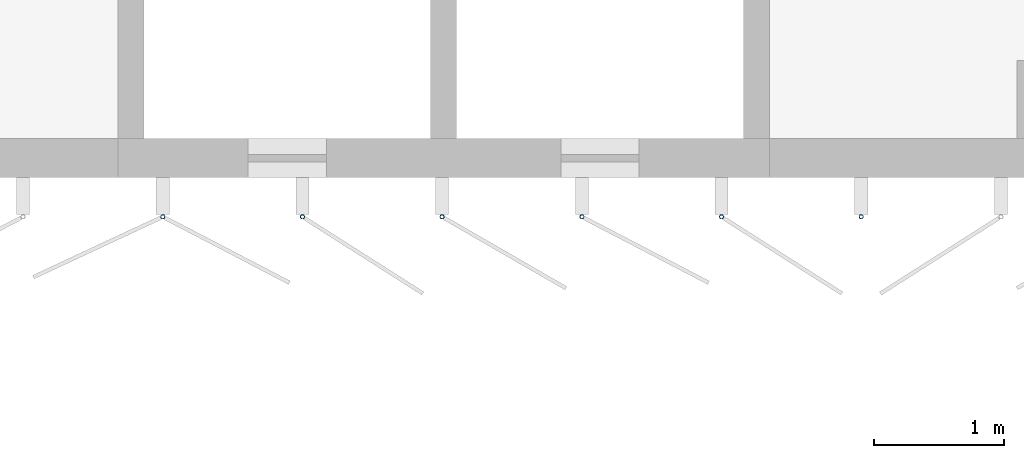
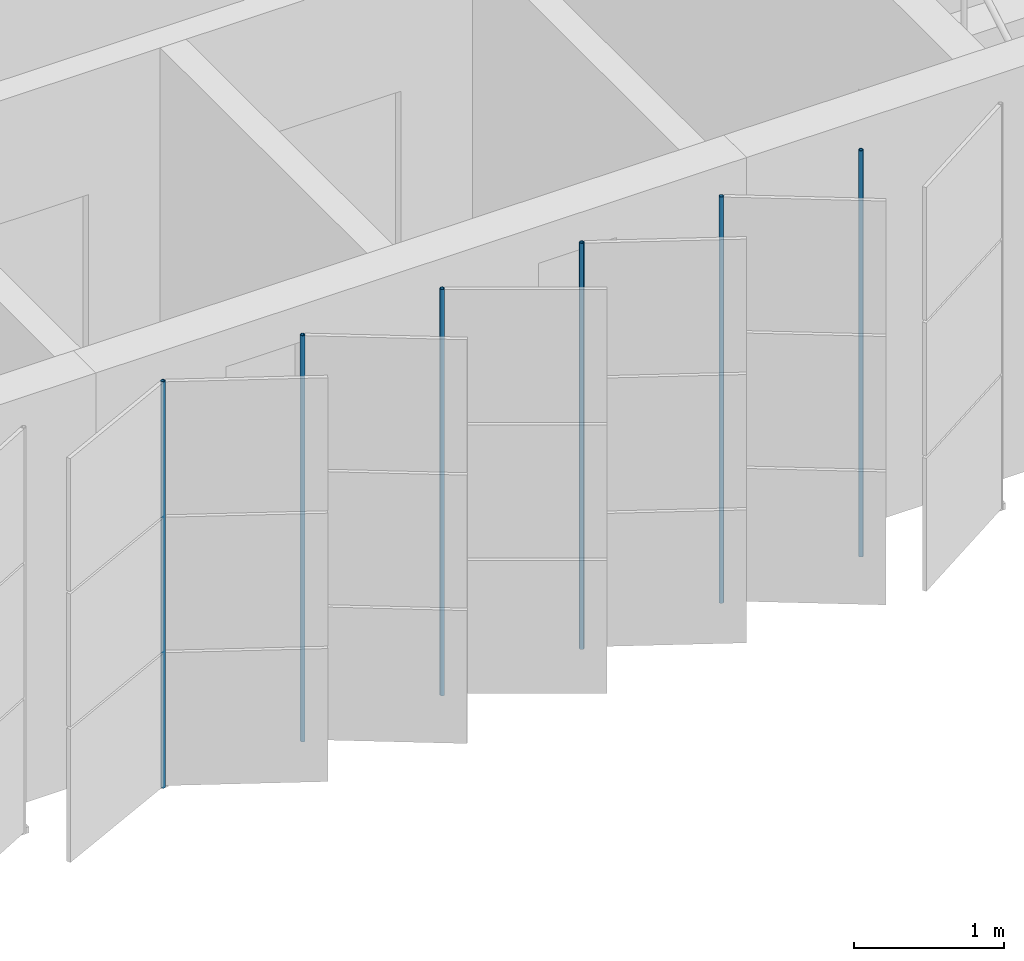
# One storey, part 93 of 214: 6 discrete accessories.
"""IFC4 building model written with IfcOpenShell, lengths in metres."""

import ifcopenshell
import ifcopenshell.guid

model = None  # the IFC model being written
_history = None  # IfcOwnerHistory: only IFC2X3 demands one
_inside = {}  # id of a spatial element -> (the spatial element, [elements in it])
_under = {}  # id of a project, library or spatial element -> (it, [spatial elements below it])
_declared = {}  # id of a project -> (the project, [libraries it declares])
_typed = {}  # id of a type object -> (the type object, [elements of that type])
_made_of = {}  # id of a material, layer set ... -> (it, [elements and type objects made of it])


def new_model(schema):
    """Start an empty IFC model of exactly this schema.

    Asked for "IFC4X3", IfcOpenShell would pick the latest addendum, in which some entities
    have other attributes; the version numbers below select the first issue.
    IFC2X3 requires an IfcOwnerHistory on every rooted entity: one is made here for all.
    """
    global model, _history
    if schema == "IFC4X3":
        model = ifcopenshell.file(schema_version=(4, 3, 0, 0))
    else:
        model = ifcopenshell.file(schema=schema)
    _inside.clear()
    _under.clear()
    _declared.clear()
    _typed.clear()
    _made_of.clear()
    _history = None
    if model.schema == "IFC2X3":
        org = make("IfcOrganization", Name="unknown")
        user = make(
            "IfcPersonAndOrganization",
            ThePerson=make("IfcPerson", FamilyName="unknown"),
            TheOrganization=org,
        )
        app = make(
            "IfcApplication",
            ApplicationDeveloper=org,
            Version="unknown",
            ApplicationFullName="unknown",
            ApplicationIdentifier="unknown",
        )
        _history = make(
            "IfcOwnerHistory",
            OwningUser=user,
            OwningApplication=app,
            ChangeAction="ADDED",
            CreationDate=0,
        )
    return model


def make(cls, **values):
    """One entity of the class cls with the attributes given. An attribute that is None is left unset."""
    return model.create_entity(
        cls, **{name: value for name, value in values.items() if value is not None}
    )


def rooted(cls, **values):
    """An entity with a GlobalId (a new one), such as an element, a storey or a relation."""
    return make(cls, GlobalId=ifcopenshell.guid.new(), OwnerHistory=_history, **values)


def si_unit(unit_type, name, prefix=None):
    """IfcSIUnit, for example si_unit("LENGTHUNIT", "METRE", prefix="MILLI")."""
    return make("IfcSIUnit", UnitType=unit_type, Prefix=prefix, Name=name)


def assignment(units):
    """IfcUnitAssignment: the units of a project."""
    return None if units is None else make("IfcUnitAssignment", Units=units)


def point(xyz):
    """IfcCartesianPoint."""
    return None if xyz is None else make("IfcCartesianPoint", Coordinates=xyz)


def direction(xyz):
    """IfcDirection."""
    return None if xyz is None else make("IfcDirection", DirectionRatios=xyz)


def frame(location, z_axis=None, x_axis=None):
    """IfcAxis2Placement3D, a coordinate frame: its origin and axes. An axis left out is left unset."""
    return make(
        "IfcAxis2Placement3D",
        Location=point(location),
        Axis=direction(z_axis),
        RefDirection=direction(x_axis),
    )


def frame_2d(location, x_axis=None):
    """IfcAxis2Placement2D, a coordinate frame in the plane: its origin and x axis."""
    return make(
        "IfcAxis2Placement2D", Location=point(location), RefDirection=direction(x_axis)
    )


def origin():
    """The frame at (0, 0, 0) with its axes left unset."""
    return frame((0.0, 0.0, 0.0))


def origin_2d():
    """The frame at (0, 0) in the plane with its x axis left unset."""
    return frame_2d((0.0, 0.0))


def place(relative_to, where):
    """IfcLocalPlacement: puts the frame where relative to a parent placement (None: the world)."""
    return make(
        "IfcLocalPlacement", PlacementRelTo=relative_to, RelativePlacement=where
    )


def context(
    kind, dimensions, precision=None, world=None, true_north=None, identifier=None
):
    """IfcGeometricRepresentationContext, for example the 3D "Model" context."""
    return make(
        "IfcGeometricRepresentationContext",
        ContextIdentifier=identifier,
        ContextType=kind,
        CoordinateSpaceDimension=dimensions,
        Precision=precision,
        WorldCoordinateSystem=world,
        TrueNorth=true_north,
    )


def subcontext(parent, identifier, kind, view, scale=None):
    """IfcGeometricRepresentationSubContext, for example "Body" below "Model"."""
    return make(
        "IfcGeometricRepresentationSubContext",
        ContextIdentifier=identifier,
        ContextType=kind,
        ParentContext=parent,
        TargetScale=scale,
        TargetView=view,
    )


def project(units=None, contexts=None):
    """IfcProject with its units and contexts."""
    return rooted(
        "IfcProject",
        Name="project",
        RepresentationContexts=contexts,
        UnitsInContext=assignment(units),
    )


def spatial(cls, under=None, at=None, **own):
    """A site, building, storey or space (cls), placed at a placement, below another one or the project."""
    s = rooted(cls, ObjectPlacement=at, **own)
    if under is not None:
        _under.setdefault(under.id(), (under, []))[1].append(s)
    return s


def profile(cls, at=None, kind="AREA", **sizes):
    """A parametric profile (cls). Its sizes go by their IFC names, for example OverallWidth=200.0."""
    return make(cls, ProfileType=kind, Position=at, **sizes)


def hollow_circle(**sizes):
    """IfcCircleHollowProfileDef."""
    return profile("IfcCircleHollowProfileDef", **sizes)


def extrude(swept, where, along, depth):
    """IfcExtrudedAreaSolid: the profile swept, set in the frame where, extruded along a direction by depth."""
    return make(
        "IfcExtrudedAreaSolid",
        SweptArea=swept,
        Position=where,
        ExtrudedDirection=direction(along),
        Depth=depth,
    )


def shape(context_of_items, identifier, shape_type, items):
    """IfcShapeRepresentation: the items that make up one representation, for example the "Body"."""
    return make(
        "IfcShapeRepresentation",
        ContextOfItems=context_of_items,
        RepresentationIdentifier=identifier,
        RepresentationType=shape_type,
        Items=items,
    )


def material(Name=None, Category=None):
    """IfcMaterial."""
    return make("IfcMaterial", Name=Name, Category=Category)


def material_profile(
    of_material, cross_section, Name=None, Category=None, Priority=None
):
    """IfcMaterialProfile: a cross section and its material."""
    return make(
        "IfcMaterialProfile",
        Name=Name,
        Material=of_material,
        Profile=cross_section,
        Priority=Priority,
        Category=Category,
    )


def profile_set(profiles, Name=None, composite=None):
    """IfcMaterialProfileSet."""
    return make(
        "IfcMaterialProfileSet",
        Name=Name,
        MaterialProfiles=profiles,
        CompositeProfile=composite,
    )


def made_of(thing, what):
    """Note that an element or type object is made of a material, layer set ...; save() writes the relation."""
    if what is not None:
        _made_of.setdefault(what.id(), (what, []))[1].append(thing)
    return thing


def type_object(cls, material=None, **own):
    """A type object (cls), such as IfcWallType, which elements share."""
    return made_of(rooted(cls, **own), material)


def element(
    cls,
    number,
    at=None,
    inside=None,
    cuts=None,
    type_object=None,
    material=None,
    context=None,
    identifier="Body",
    shape_type=None,
    held_by="IfcProductDefinitionShape",
    body=None,
    shapes=None,
    **own,
):
    """One element of the class cls, such as IfcWall. Its Tag is "e" and its number.

    at: its placement. inside: the storey or other place that contains it. cuts: it is an
    opening in that element (IfcRelVoidsElement). A single representation is given by context,
    identifier, shape_type and body (its items); several are given by shapes. held_by: the class
    of the entity that holds the representations. save() writes the other relations.
    """
    e = rooted(cls, Tag="e%d" % number, ObjectPlacement=at, **own)
    if body is not None:
        shapes = [shape(context, identifier, shape_type, body)]
    if shapes is not None:
        e.Representation = make(held_by, Representations=shapes)
    if inside is not None:
        _inside.setdefault(inside.id(), (inside, []))[1].append(e)
    if cuts is not None:
        rooted(
            "IfcRelVoidsElement", RelatingBuildingElement=cuts, RelatedOpeningElement=e
        )
    if type_object is not None:
        _typed.setdefault(type_object.id(), (type_object, []))[1].append(e)
    return made_of(e, material)


def aggregate(whole, parts):
    """IfcRelAggregates: a whole, such as a stair, and the parts it consists of."""
    return rooted("IfcRelAggregates", RelatingObject=whole, RelatedObjects=parts)


def save(model, path):
    """Write the relations noted so far, then the file.

    IfcRelAggregates (storeys below a building ...), IfcRelContainedInSpatialStructure (elements
    in a storey), IfcRelDefinesByType, IfcRelAssociatesMaterial and IfcRelDeclares: one each for
    every whole, place, type object, material and project.
    """
    for whole, parts in _under.values():
        aggregate(whole, parts)
    for where, things in _inside.values():
        rooted(
            "IfcRelContainedInSpatialStructure",
            RelatedElements=things,
            RelatingStructure=where,
        )
    for kind, things in _typed.values():
        rooted("IfcRelDefinesByType", RelatedObjects=things, RelatingType=kind)
    for what, things in _made_of.values():
        rooted("IfcRelAssociatesMaterial", RelatedObjects=things, RelatingMaterial=what)
    for by, libraries in _declared.values():
        rooted("IfcRelDeclares", RelatingContext=by, RelatedDefinitions=libraries)
    model.write(path)


model = new_model("IFC4")

# Units and contexts
model_context = context("Model", 3, precision=1e-05, world=origin(), true_north=direction((0.0, 1.0)))
body_context = subcontext(model_context, "Body", "Model", "MODEL_VIEW")
ifc_project = project(units=[si_unit("LENGTHUNIT", "METRE"), si_unit("AREAUNIT", "SQUARE_METRE"), si_unit("VOLUMEUNIT", "CUBIC_METRE"), si_unit("PLANEANGLEUNIT", "RADIAN"), si_unit("MASSUNIT", "GRAM", prefix="KILO")], contexts=[model_context])

# Site, building, storey
site_placement = place(None, origin())
site = spatial("IfcSite", under=ifc_project, at=site_placement, CompositionType="ELEMENT")
building_placement = place(site_placement, origin())
building = spatial("IfcBuilding", under=site, at=building_placement, Name="Parallax Yard Mobility Hub", CompositionType="ELEMENT")
storey_placement = place(building_placement, frame((0.0, 0.0, 3.300048828125)))
storey = spatial("IfcBuildingStorey", under=building, at=storey_placement, Name="L01", CompositionType="ELEMENT", Elevation=3.300048828125)

# Discrete accessories
ifc_material = material(Name="Steel ASTM A500 Gr C, hot-dip galvanised", Category="steel")
ifc_material_profile = material_profile(ifc_material, hollow_circle(Radius=0.016845703125, WallThickness=0.003173828125, at=origin_2d()), Name="CHS 33.7x3.2")
ifc_profile_set = profile_set([ifc_material_profile], Name="Steel ASTM A500 Gr C, hot-dip galvanised")
discrete_accessory_type = type_object("IfcDiscreteAccessoryType", Name="Hinge post CHS 33.7x3.2", PredefinedType="BRACKET", material=ifc_profile_set)
for number, where, z_axis, x_axis, name in (
    (1, (72.843994140625, 112.199951171875, 0.0), (0.0, 0.0, 1.0), (1.0, 0.0, 0.0), "Hinge post bay 6.6 level L01"),
    (2, (73.916015625, 112.199951171875, 0.0), (0.0, 0.0, 1.0), (1.0, 0.0, 0.0), "Hinge post bay 6.7 level L01"),
    (3, (74.98828125, 112.199951171875, 0.0), (0.0, 0.0, 1.0), (1.0, 0.0, 0.0), "Hinge post bay 6.8 level L01"),
    (4, (76.060546875, 112.199951171875, 0.0), (0.0, 0.0, 1.0), (1.0, 0.0, 0.0), "Hinge post bay 6.9 level L01"),
    (5, (77.1328125, 112.199951171875, 0.0), (0.0, 0.0, 1.0), (1.0, 0.0, 0.0), "Hinge post bay 6.10 level L01"),
    (6, (78.205078125, 112.199951171875, 0.0), (0.0, 0.0, 1.0), (1.0, 0.0, 0.0), "Hinge post bay 6.11 level L01"),
):
    element("IfcDiscreteAccessory", number, at=place(storey_placement, frame(where, z_axis=z_axis, x_axis=x_axis)), inside=storey, type_object=discrete_accessory_type, Name=name, PredefinedType="BRACKET", context=body_context, shape_type="SweptSolid", body=[
        extrude(hollow_circle(Radius=0.016845703125, WallThickness=0.003173828125, at=origin_2d()), origin(), (0.0, 0.0, 1.0), 3.300048828125),
    ])

save(model, "model.ifc")
